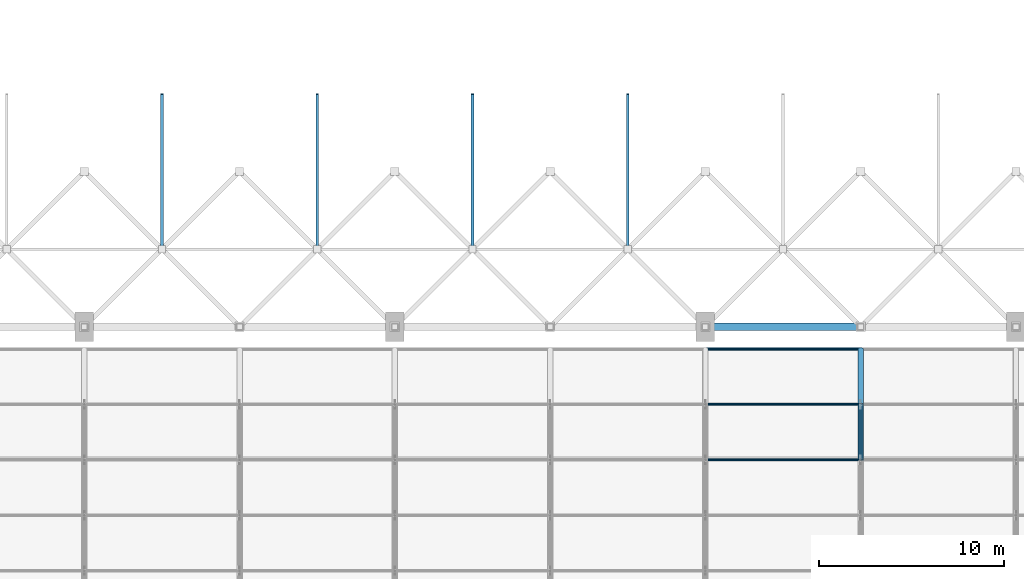
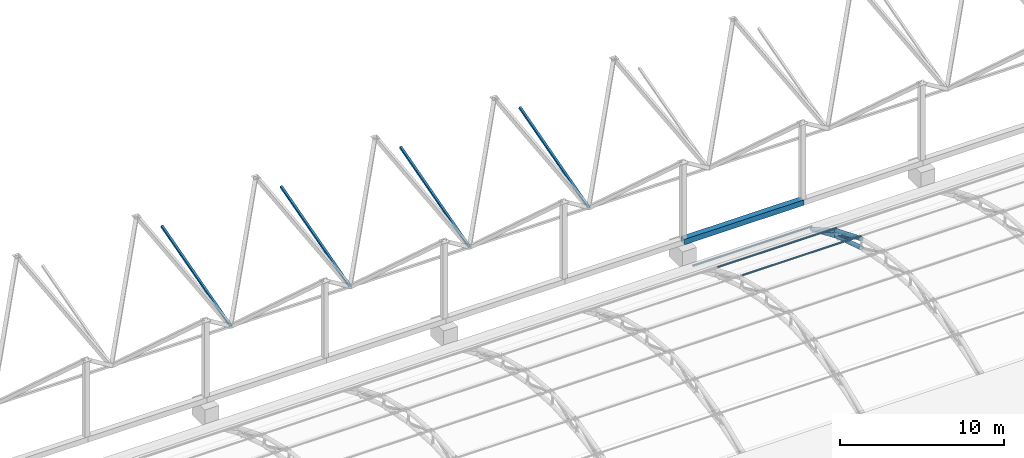
# One storey, part 21 of 163: 13 members.
"""IFC4 building model written with IfcOpenShell, lengths in metres."""

from ifc_helpers import new_model, si_unit, direction, frame, origin, origin_2d, place, context, subcontext, project, spatial, hollow_rectangle, hollow_circle, extrude, material, material_profile, profile_set, type_object, element, save


model = new_model("IFC4")

# Units and contexts
model_context = context("Model", 3, precision=1e-05, world=origin(), true_north=direction((0.0, 1.0)))
body_context = subcontext(model_context, "Body", "Model", "MODEL_VIEW")
ifc_project = project(units=[si_unit("LENGTHUNIT", "METRE"), si_unit("AREAUNIT", "SQUARE_METRE"), si_unit("VOLUMEUNIT", "CUBIC_METRE"), si_unit("PLANEANGLEUNIT", "RADIAN"), si_unit("MASSUNIT", "GRAM", prefix="KILO")], contexts=[model_context])

# Site, building, storey
site_placement = place(None, origin())
site = spatial("IfcSite", under=ifc_project, at=site_placement, CompositionType="ELEMENT")
building_placement = place(site_placement, origin())
building = spatial("IfcBuilding", under=site, at=building_placement, Name="Rain Tree Exposition and Congress Centre", CompositionType="ELEMENT")
storey_placement = place(building_placement, frame((0.0, 0.0, 10.5)))
storey = spatial("IfcBuildingStorey", under=building, at=storey_placement, Name="L02", CompositionType="ELEMENT", Elevation=10.5)

# Members
ifc_material_1 = material(Name="Steel S355J2H", Category="steel")
ifc_material_profile_1 = material_profile(ifc_material_1, hollow_circle(Radius=0.090087890625, WallThickness=0.008056640625, at=origin_2d()), Name="CHS 180x8")
ifc_profile_set_1 = profile_set([ifc_material_profile_1], Name="Steel S355J2H")
member_type_1 = type_object("IfcMemberType", Name="Steel brace member CHS 180x8", PredefinedType="BRACE", material=ifc_profile_set_1)
member_1_placement = place(storey_placement, frame((100.800048828125, 96.60009765625, 1.4423828125), z_axis=(0.0, -0.880818418444, 0.473454236151), x_axis=(1.0, 0.0, 0.0)))
element("IfcMember", 1, at=member_1_placement, inside=storey, type_object=member_type_1, Name="Roof truss 13 diagonal 6", PredefinedType="BRACE", context=body_context, shape_type="SweptSolid", body=[
    extrude(hollow_circle(Radius=0.090087890625, WallThickness=0.008056640625, at=origin_2d()), origin(), (0.0, 0.0, 1.0), 3.406005859375),
])
ifc_material_2 = material(Name="Steel S355J2H", Category="steel")
ifc_material_profile_2 = material_profile(ifc_material_2, hollow_circle(Radius=0.14990234375, WallThickness=0.013916015625, at=origin_2d()), Name="CHS 300x14")
ifc_profile_set_2 = profile_set([ifc_material_profile_2], Name="Steel S355J2H")
member_type_2 = type_object("IfcMemberType", Name="Steel chord member CHS 300x14", PredefinedType="CHORD", material=ifc_profile_set_2)
member_2_placement = place(storey_placement, frame((100.800048828125, 93.60009765625, 3.054931640625), z_axis=(0.0, 0.926466577122, -0.376377046956), x_axis=(-1.0, 0.0, 0.0)))
element("IfcMember", 2, at=member_2_placement, inside=storey, type_object=member_type_2, Name="Roof truss 13 top chord 7", PredefinedType="CHORD", context=body_context, shape_type="SweptSolid", body=[
    extrude(hollow_circle(Radius=0.14990234375, WallThickness=0.013916015625, at=origin_2d()), origin(), (0.0, 0.0, 1.0), 3.238037109375),
])
member_3_placement = place(storey_placement, frame((100.800048828125, 93.60009765625, 2.3798828125), z_axis=(0.0, 0.954479978035, -0.298274993136), x_axis=(-1.0, 0.0, 0.0)))
element("IfcMember", 3, at=member_3_placement, inside=storey, type_object=member_type_2, Name="Roof truss 13 bottom chord 7", PredefinedType="CHORD", context=body_context, shape_type="SweptSolid", body=[
    extrude(hollow_circle(Radius=0.14990234375, WallThickness=0.013916015625, at=origin_2d()), origin(), (0.0, 0.0, 1.0), 3.14306640625),
])
member_4_placement = place(storey_placement, frame((100.800048828125, 96.60009765625, 1.836181640625), z_axis=(0.0, 0.869238262324, -0.494393409455), x_axis=(-1.0, 0.0, 0.0)))
element("IfcMember", 4, at=member_4_placement, inside=storey, type_object=member_type_2, Name="Roof truss 13 top chord 8", PredefinedType="CHORD", context=body_context, shape_type="SweptSolid", body=[
    extrude(hollow_circle(Radius=0.14990234375, WallThickness=0.013916015625, at=origin_2d()), origin(), (0.0, 0.0, 1.0), 3.451416015625),
])
member_5_placement = place(storey_placement, frame((100.800048828125, 96.60009765625, 1.4423828125), z_axis=(0.0, 0.916157334902, -0.40081883402), x_axis=(-1.0, 0.0, 0.0)))
element("IfcMember", 5, at=member_5_placement, inside=storey, type_object=member_type_2, Name="Roof truss 13 bottom chord 8", PredefinedType="CHORD", context=body_context, shape_type="SweptSolid", body=[
    extrude(hollow_circle(Radius=0.14990234375, WallThickness=0.013916015625, at=origin_2d()), origin(), (0.0, 0.0, 1.0), 3.274658203125),
])
ifc_material_3 = material(Name="Steel S355J2H", Category="steel")
ifc_material_profile_3 = material_profile(ifc_material_3, hollow_rectangle(XDim=0.14990234375, YDim=0.14990234375, WallThickness=0.00439453125, at=origin_2d()), Name="RHS 150x150x4.5")
ifc_profile_set_3 = profile_set([ifc_material_profile_3], Name="Steel S355J2H")
member_type_3 = type_object("IfcMemberType", Name="Steel chord member RHS 150x150x4.5", PredefinedType="CHORD", material=ifc_profile_set_3)
for number, where, z_axis, x_axis, name in (
    (6, (63.0, 105.0, 2.87353515625), (0.0, 0.9627506985, 0.27039062953), (-1.0, 0.0, 0.0), "Bottom chord 404"),
    (7, (71.39990234375, 105.0, 2.87353515625), (0.0, 0.9627506985, 0.27039062953), (-1.0, 0.0, 0.0), "Bottom chord 410"),
    (8, (79.800048828125, 105.0, 2.87353515625), (0.0, 0.9627506985, 0.27039062953), (-1.0, 0.0, 0.0), "Bottom chord 416"),
    (9, (88.199951171875, 105.0, 2.87353515625), (0.0, 0.9627506985, 0.27039062953), (-1.0, 0.0, 0.0), "Bottom chord 422"),
):
    element("IfcMember", number, at=place(storey_placement, frame(where, z_axis=z_axis, x_axis=x_axis)), inside=storey, type_object=member_type_3, Name=name, PredefinedType="CHORD", context=body_context, shape_type="SweptSolid", body=[
        extrude(hollow_rectangle(XDim=0.14990234375, YDim=0.14990234375, WallThickness=0.00439453125, at=origin_2d()), origin(), (0.0, 0.0, 1.0), 8.724853515625),
    ])
ifc_material_4 = material(Name="Steel S355J2H", Category="steel")
ifc_material_profile_4 = material_profile(ifc_material_4, hollow_rectangle(XDim=0.39990234375, YDim=0.39990234375, WallThickness=0.011962890625, at=origin_2d()), Name="RHS 400x400x12")
ifc_profile_set_4 = profile_set([ifc_material_profile_4], Name="Steel S355J2H")
member_type_4 = type_object("IfcMemberType", Name="Steel chord member RHS 400x400x12", PredefinedType="CHORD", material=ifc_profile_set_4)
member_6_placement = place(storey_placement, frame((92.39990234375, 100.800048828125, 1.5), z_axis=(1.0, 0.0, 0.0), x_axis=(0.0, 1.0, 0.0)))
element("IfcMember", 10, at=member_6_placement, inside=storey, type_object=member_type_4, Name="Eaves chord 1355", PredefinedType="CHORD", context=body_context, shape_type="SweptSolid", body=[
    extrude(hollow_rectangle(XDim=0.39990234375, YDim=0.39990234375, WallThickness=0.011962890625, at=origin_2d()), origin(), (0.0, 0.0, 1.0), 8.400146484375),
])
ifc_material_5 = material(Name="Steel S355J2H", Category="steel")
ifc_material_profile_5 = material_profile(ifc_material_5, hollow_circle(Radius=0.070068359375, WallThickness=0.006103515625, at=origin_2d()), Name="CHS 140x6")
ifc_profile_set_5 = profile_set([ifc_material_profile_5], Name="Steel S355J2H")
member_type_5 = type_object("IfcMemberType", Name="Steel purlin member CHS 140x6", PredefinedType="PURLIN", material=ifc_profile_set_5)
for number, where, z_axis, x_axis, name in (
    (11, (92.39990234375, 93.60009765625, 3.27490234375), (1.0, 0.0, 0.0), (0.0, 1.0, 0.0), "Roof purlin 7.12"),
    (12, (92.39990234375, 96.60009765625, 2.056396484375), (1.0, 0.0, 0.0), (0.0, 1.0, 0.0), "Roof purlin 8.12"),
    (13, (92.39990234375, 99.60009765625, 0.35009765625), (1.0, 0.0, 0.0), (0.0, 1.0, 0.0), "Roof purlin 9.12"),
):
    element("IfcMember", number, at=place(storey_placement, frame(where, z_axis=z_axis, x_axis=x_axis)), inside=storey, type_object=member_type_5, Name=name, PredefinedType="PURLIN", context=body_context, shape_type="SweptSolid", body=[
        extrude(hollow_circle(Radius=0.070068359375, WallThickness=0.006103515625, at=origin_2d()), origin(), (0.0, 0.0, 1.0), 8.400146484375),
    ])

save(model, "model.ifc")
